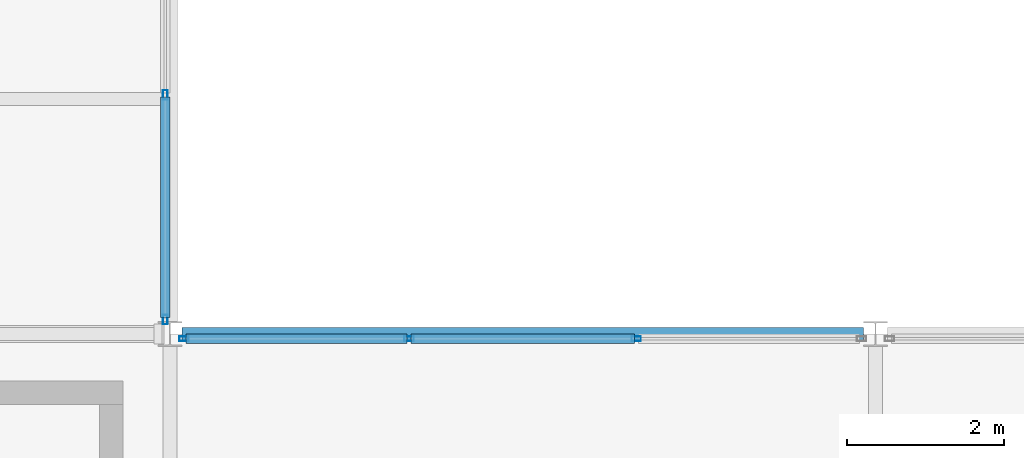
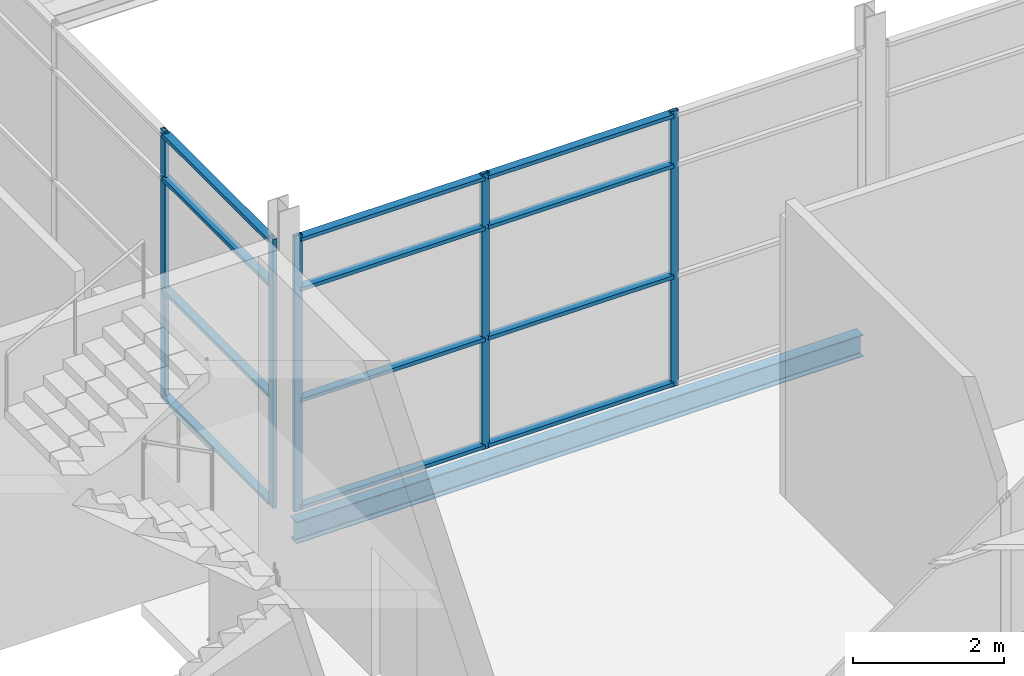
# One storey, part 12 of 94: 17 members, 1 beam, 2 elements without a shape of their own.
"""IFC4 building model written with IfcOpenShell, lengths in metres."""

from ifc_helpers import new_model, si_unit, direction, frame, origin, origin_2d, place, context, subcontext, project, spatial, hollow_rectangle, i_section, extrude, material, layer, layer_set, material_profile, profile_set, type_object, element, aggregate, save


model = new_model("IFC4")

# Units and contexts
model_context = context("Model", 3, precision=1e-05, world=origin(), true_north=direction((0.0, 1.0)))
body_context = subcontext(model_context, "Body", "Model", "MODEL_VIEW")
ifc_project = project(units=[si_unit("LENGTHUNIT", "METRE"), si_unit("AREAUNIT", "SQUARE_METRE"), si_unit("VOLUMEUNIT", "CUBIC_METRE"), si_unit("PLANEANGLEUNIT", "RADIAN"), si_unit("MASSUNIT", "GRAM", prefix="KILO")], contexts=[model_context])

# Site, building, storey
site_placement = place(None, origin())
site = spatial("IfcSite", under=ifc_project, at=site_placement, CompositionType="ELEMENT")
building_placement = place(site_placement, origin())
building = spatial("IfcBuilding", under=site, at=building_placement, Name="Shorebreak Coast Museum", CompositionType="ELEMENT")
storey_placement = place(building_placement, frame((0.0, 0.0, 31.0)))
storey = spatial("IfcBuildingStorey", under=building, at=storey_placement, Name="L05", CompositionType="ELEMENT", Elevation=31.0)

# Beam
ifc_material_1 = material(Name="Steel Grade 300", Category="steel")
ifc_material_profile_1 = material_profile(ifc_material_1, i_section(OverallWidth=0.1708984375, OverallDepth=0.355712890625, WebThickness=0.00732421875, FlangeThickness=0.011474609375, FilletRadius=0.011474609375, at=origin_2d()), Name="360UB50.7")
ifc_profile_set_1 = profile_set([ifc_material_profile_1], Name="Steel Grade 300")
beam_type = type_object("IfcBeamType", Name="Floor girder east-west 360UB50.7", PredefinedType="BEAM", material=ifc_profile_set_1)
beam_placement = place(storey_placement, frame((63.153564453125, 63.0, -0.352783203125), z_axis=(1.0, 0.0, 0.0), x_axis=(0.0, 1.0, 0.0)))
element("IfcBeam", 1, at=beam_placement, inside=storey, type_object=beam_type, Name="Floor girder east-west L05 8H", PredefinedType="BEAM", context=body_context, shape_type="SweptSolid", body=[
    extrude(i_section(OverallWidth=0.1708984375, OverallDepth=0.355712890625, WebThickness=0.00732421875, FlangeThickness=0.011474609375, FilletRadius=0.011474609375, at=origin_2d()), origin(), (0.0, 0.0, 1.0), 8.69287109375),
])

# Curtain wall, members
ifc_material_2 = material(Name="Aluminium", Category="aluminium")
ifc_layer = layer(ifc_material_2, 0.1201171875)
ifc_layer_set = layer_set([ifc_layer], Name="Aluminium")
curtain_wall_type = type_object("IfcCurtainWallType", Name="Atrium fire screen", PredefinedType="NOTDEFINED", material=ifc_layer_set)
curtain_wall_1_placement = place(storey_placement, origin())
curtain_wall_1 = element("IfcCurtainWall", 2, at=curtain_wall_1_placement, inside=storey, type_object=curtain_wall_type, Name="Atrium screen L05 S 63", PredefinedType="NOTDEFINED")
ifc_material_3 = material(Name="Aluminium", Category="aluminium")
ifc_material_profile_2 = material_profile(ifc_material_3, hollow_rectangle(XDim=0.06005859375, YDim=0.1201171875, WallThickness=0.00341796875, at=origin_2d()), Name="AL 120x60 RHS")
ifc_profile_set_2 = profile_set([ifc_material_profile_2], Name="Aluminium")
member_type_1 = type_object("IfcMemberType", Name="Screen mullion 50 x 120", PredefinedType="MULLION", material=ifc_profile_set_2)
member_1_placement = place(storey_placement, frame((63.178466796875, 62.93994140625, 0.0), z_axis=(0.0, 0.0, 1.0), x_axis=(0.0, 1.0, 0.0)))
member_1 = element("IfcMember", 3, at=member_1_placement, type_object=member_type_1, Name="CW4 mullion 1", PredefinedType="MULLION", context=body_context, shape_type="SweptSolid", body=[
    extrude(hollow_rectangle(XDim=0.06005859375, YDim=0.1201171875, WallThickness=0.00341796875, at=origin_2d()), origin(), (0.0, 0.0, 1.0), 4.469482421875),
])
member_2_placement = place(storey_placement, frame((66.05126953125, 62.93994140625, 0.0), z_axis=(0.0, 0.0, 1.0), x_axis=(0.0, 1.0, 0.0)))
member_2 = element("IfcMember", 4, at=member_2_placement, type_object=member_type_1, Name="CW4 mullion 2", PredefinedType="MULLION", context=body_context, shape_type="SweptSolid", body=[
    extrude(hollow_rectangle(XDim=0.06005859375, YDim=0.1201171875, WallThickness=0.00341796875, at=origin_2d()), origin(), (0.0, 0.0, 1.0), 4.469482421875),
])
member_3_placement = place(storey_placement, frame((68.94873046875, 62.93994140625, 0.0), z_axis=(0.0, 0.0, 1.0), x_axis=(0.0, 1.0, 0.0)))
member_3 = element("IfcMember", 5, at=member_3_placement, type_object=member_type_1, Name="CW4 mullion 3", PredefinedType="MULLION", context=body_context, shape_type="SweptSolid", body=[
    extrude(hollow_rectangle(XDim=0.06005859375, YDim=0.1201171875, WallThickness=0.00341796875, at=origin_2d()), origin(), (0.0, 0.0, 1.0), 4.469482421875),
])

curtain_wall_2_placement = place(storey_placement, origin())
curtain_wall_2 = element("IfcCurtainWall", 6, at=curtain_wall_2_placement, inside=storey, type_object=curtain_wall_type, Name="Atrium screen L05 W 73", PredefinedType="NOTDEFINED")
member_4_placement = place(storey_placement, frame((62.93994140625, 63.182373046875, 0.0), z_axis=(0.0, 0.0, 1.0), x_axis=(-1.0, 0.0, 0.0)))
member_4 = element("IfcMember", 7, at=member_4_placement, type_object=member_type_1, Name="CW5 mullion 1", PredefinedType="MULLION", context=body_context, shape_type="SweptSolid", body=[
    extrude(hollow_rectangle(XDim=0.06005859375, YDim=0.1201171875, WallThickness=0.00341796875, at=origin_2d()), origin(), (0.0, 0.0, 1.0), 4.364501953125),
])
member_5_placement = place(storey_placement, frame((62.93994140625, 66.05029296875, 0.0), z_axis=(0.0, 0.0, 1.0), x_axis=(-1.0, 0.0, 0.0)))
member_5 = element("IfcMember", 8, at=member_5_placement, type_object=member_type_1, Name="CW5 mullion 2", PredefinedType="MULLION", context=body_context, shape_type="SweptSolid", body=[
    extrude(hollow_rectangle(XDim=0.06005859375, YDim=0.1201171875, WallThickness=0.00341796875, at=origin_2d()), origin(), (0.0, 0.0, 1.0), 4.364501953125),
])

# Member
ifc_material_4 = material(Name="Aluminium", Category="aluminium")
ifc_material_profile_3 = material_profile(ifc_material_4, hollow_rectangle(XDim=0.1201171875, YDim=0.06005859375, WallThickness=0.00341796875, at=origin_2d()), Name="AL 60x120 RHS")
ifc_profile_set_3 = profile_set([ifc_material_profile_3], Name="Aluminium")
member_type_2 = type_object("IfcMemberType", Name="Screen transom 120 x 50", PredefinedType="USERDEFINED", material=ifc_profile_set_3)
member_6_placement = place(storey_placement, frame((63.20361328125, 62.93994140625, 0.06005859375), z_axis=(1.0, 0.0, 0.0), x_axis=(0.0, 1.0, 0.0)))
member_6 = element("IfcMember", 9, at=member_6_placement, type_object=member_type_2, Name="CW4 transom 1.1", ObjectType="TRANSOM", PredefinedType="USERDEFINED", context=body_context, shape_type="SweptSolid", body=[
    extrude(hollow_rectangle(XDim=0.1201171875, YDim=0.06005859375, WallThickness=0.00341796875, at=origin_2d()), origin(), (0.0, 0.0, 1.0), 2.822509765625),
])

member_7_placement = place(storey_placement, frame((63.20361328125, 62.93994140625, 1.800048828125), z_axis=(1.0, 0.0, 0.0), x_axis=(0.0, 1.0, 0.0)))
member_7 = element("IfcMember", 10, at=member_7_placement, type_object=member_type_2, Name="CW4 transom 1.2", ObjectType="TRANSOM", PredefinedType="USERDEFINED", context=body_context, shape_type="SweptSolid", body=[
    extrude(hollow_rectangle(XDim=0.1201171875, YDim=0.06005859375, WallThickness=0.00341796875, at=origin_2d()), origin(), (0.0, 0.0, 1.0), 2.822509765625),
])

member_8_placement = place(storey_placement, frame((63.20361328125, 62.93994140625, 3.60009765625), z_axis=(1.0, 0.0, 0.0), x_axis=(0.0, 1.0, 0.0)))
member_8 = element("IfcMember", 11, at=member_8_placement, type_object=member_type_2, Name="CW4 transom 1.3", ObjectType="TRANSOM", PredefinedType="USERDEFINED", context=body_context, shape_type="SweptSolid", body=[
    extrude(hollow_rectangle(XDim=0.1201171875, YDim=0.06005859375, WallThickness=0.00341796875, at=origin_2d()), origin(), (0.0, 0.0, 1.0), 2.822509765625),
])

member_9_placement = place(storey_placement, frame((63.20361328125, 62.93994140625, 4.409423828125), z_axis=(1.0, 0.0, 0.0), x_axis=(0.0, 1.0, 0.0)))
member_9 = element("IfcMember", 12, at=member_9_placement, type_object=member_type_2, Name="CW4 transom 1.4", ObjectType="TRANSOM", PredefinedType="USERDEFINED", context=body_context, shape_type="SweptSolid", body=[
    extrude(hollow_rectangle(XDim=0.1201171875, YDim=0.06005859375, WallThickness=0.00341796875, at=origin_2d()), origin(), (0.0, 0.0, 1.0), 2.822509765625),
])

member_10_placement = place(storey_placement, frame((66.076171875, 62.93994140625, 0.06005859375), z_axis=(1.0, 0.0, 0.0), x_axis=(0.0, 1.0, 0.0)))
member_10 = element("IfcMember", 13, at=member_10_placement, type_object=member_type_2, Name="CW4 transom 2.1", ObjectType="TRANSOM", PredefinedType="USERDEFINED", context=body_context, shape_type="SweptSolid", body=[
    extrude(hollow_rectangle(XDim=0.1201171875, YDim=0.06005859375, WallThickness=0.00341796875, at=origin_2d()), origin(), (0.0, 0.0, 1.0), 2.84765625),
])

member_11_placement = place(storey_placement, frame((66.076171875, 62.93994140625, 1.800048828125), z_axis=(1.0, 0.0, 0.0), x_axis=(0.0, 1.0, 0.0)))
member_11 = element("IfcMember", 14, at=member_11_placement, type_object=member_type_2, Name="CW4 transom 2.2", ObjectType="TRANSOM", PredefinedType="USERDEFINED", context=body_context, shape_type="SweptSolid", body=[
    extrude(hollow_rectangle(XDim=0.1201171875, YDim=0.06005859375, WallThickness=0.00341796875, at=origin_2d()), origin(), (0.0, 0.0, 1.0), 2.84765625),
])

member_12_placement = place(storey_placement, frame((66.076171875, 62.93994140625, 3.60009765625), z_axis=(1.0, 0.0, 0.0), x_axis=(0.0, 1.0, 0.0)))
member_12 = element("IfcMember", 15, at=member_12_placement, type_object=member_type_2, Name="CW4 transom 2.3", ObjectType="TRANSOM", PredefinedType="USERDEFINED", context=body_context, shape_type="SweptSolid", body=[
    extrude(hollow_rectangle(XDim=0.1201171875, YDim=0.06005859375, WallThickness=0.00341796875, at=origin_2d()), origin(), (0.0, 0.0, 1.0), 2.84765625),
])

member_13_placement = place(storey_placement, frame((66.076171875, 62.93994140625, 4.409423828125), z_axis=(1.0, 0.0, 0.0), x_axis=(0.0, 1.0, 0.0)))
member_13 = element("IfcMember", 16, at=member_13_placement, type_object=member_type_2, Name="CW4 transom 2.4", ObjectType="TRANSOM", PredefinedType="USERDEFINED", context=body_context, shape_type="SweptSolid", body=[
    extrude(hollow_rectangle(XDim=0.1201171875, YDim=0.06005859375, WallThickness=0.00341796875, at=origin_2d()), origin(), (0.0, 0.0, 1.0), 2.84765625),
])

aggregate(curtain_wall_1, [member_1, member_2, member_3, member_6, member_7, member_8, member_9, member_10, member_11, member_12, member_13])

member_14_placement = place(storey_placement, frame((62.93994140625, 63.207275390625, 0.06005859375), z_axis=(0.0, 1.0, 0.0), x_axis=(-1.0, 0.0, 0.0)))
member_14 = element("IfcMember", 17, at=member_14_placement, type_object=member_type_2, Name="CW5 transom 1.1", ObjectType="TRANSOM", PredefinedType="USERDEFINED", context=body_context, shape_type="SweptSolid", body=[
    extrude(hollow_rectangle(XDim=0.1201171875, YDim=0.06005859375, WallThickness=0.00341796875, at=origin_2d()), origin(), (0.0, 0.0, 1.0), 2.818115234375),
])

member_15_placement = place(storey_placement, frame((62.93994140625, 63.207275390625, 1.800048828125), z_axis=(0.0, 1.0, 0.0), x_axis=(-1.0, 0.0, 0.0)))
member_15 = element("IfcMember", 18, at=member_15_placement, type_object=member_type_2, Name="CW5 transom 1.2", ObjectType="TRANSOM", PredefinedType="USERDEFINED", context=body_context, shape_type="SweptSolid", body=[
    extrude(hollow_rectangle(XDim=0.1201171875, YDim=0.06005859375, WallThickness=0.00341796875, at=origin_2d()), origin(), (0.0, 0.0, 1.0), 2.818115234375),
])

member_16_placement = place(storey_placement, frame((62.93994140625, 63.207275390625, 3.60009765625), z_axis=(0.0, 1.0, 0.0), x_axis=(-1.0, 0.0, 0.0)))
member_16 = element("IfcMember", 19, at=member_16_placement, type_object=member_type_2, Name="CW5 transom 1.3", ObjectType="TRANSOM", PredefinedType="USERDEFINED", context=body_context, shape_type="SweptSolid", body=[
    extrude(hollow_rectangle(XDim=0.1201171875, YDim=0.06005859375, WallThickness=0.00341796875, at=origin_2d()), origin(), (0.0, 0.0, 1.0), 2.818115234375),
])

member_17_placement = place(storey_placement, frame((62.93994140625, 63.207275390625, 4.3046875), z_axis=(0.0, 1.0, 0.0), x_axis=(-1.0, 0.0, 0.0)))
member_17 = element("IfcMember", 20, at=member_17_placement, type_object=member_type_2, Name="CW5 transom 1.4", ObjectType="TRANSOM", PredefinedType="USERDEFINED", context=body_context, shape_type="SweptSolid", body=[
    extrude(hollow_rectangle(XDim=0.1201171875, YDim=0.06005859375, WallThickness=0.00341796875, at=origin_2d()), origin(), (0.0, 0.0, 1.0), 2.818115234375),
])

aggregate(curtain_wall_2, [member_4, member_5, member_14, member_15, member_16, member_17])

save(model, "model.ifc")
